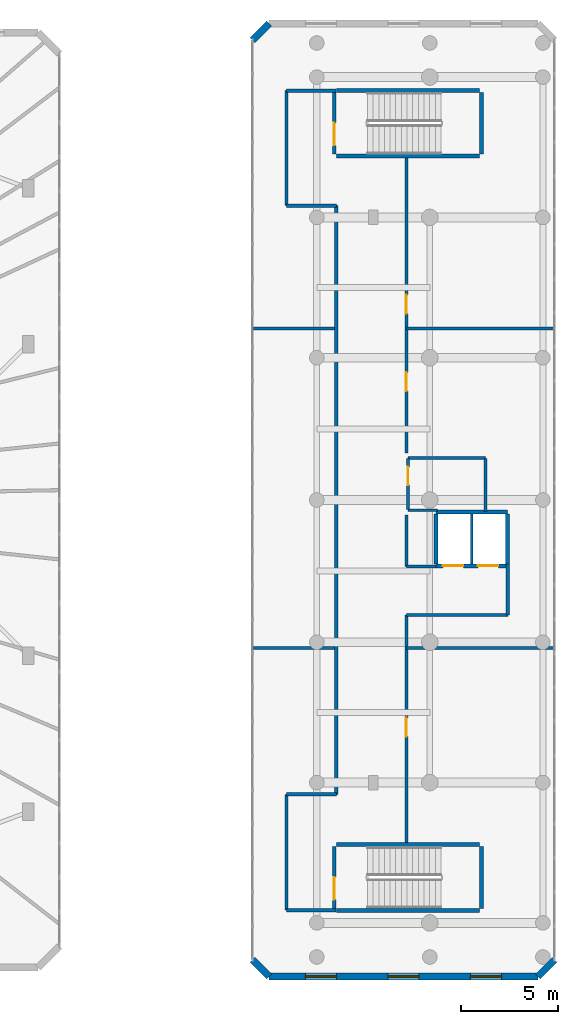
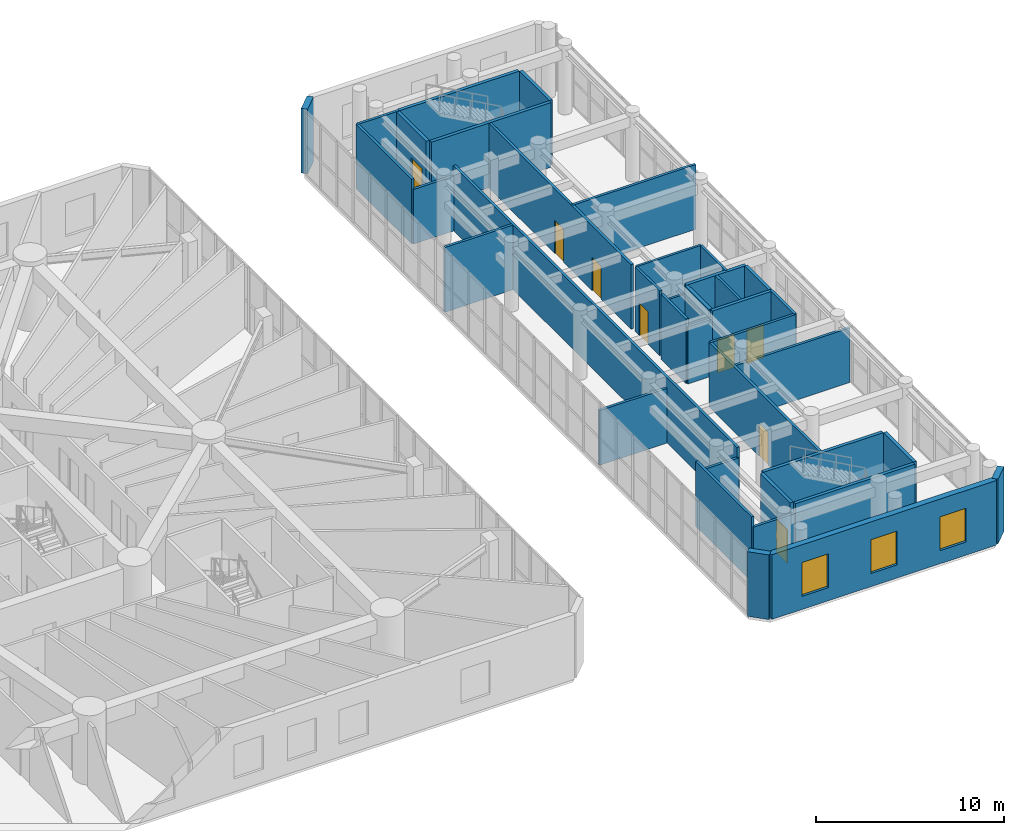
# One storey, part 19 of 26: 38 walls, 8 doors, 3 windows, 11 openings.
"""IFC4 building model written with IfcOpenShell, lengths in metres."""

from ifc_helpers import new_model, si_unit, direction, frame, frame_2d, origin, origin_with_axes, place, context, subcontext, project, spatial, rectangle, extrude, source, transform, mapped, material, layer, layer_set, type_object, element, fill, save


model = new_model("IFC4")

# Units and contexts
model_context = context("Model", 3, precision=1e-05, world=origin(), true_north=direction((0.0, 1.0)))
body_context = subcontext(model_context, "Body", "Model", "MODEL_VIEW")
ifc_project = project(units=[si_unit("LENGTHUNIT", "METRE"), si_unit("AREAUNIT", "SQUARE_METRE"), si_unit("VOLUMEUNIT", "CUBIC_METRE"), si_unit("PLANEANGLEUNIT", "RADIAN"), si_unit("MASSUNIT", "GRAM", prefix="KILO")], contexts=[model_context])

# Site, building, storey
site_placement = place(None, origin())
site = spatial("IfcSite", under=ifc_project, at=site_placement, CompositionType="ELEMENT")
building_placement = place(site_placement, origin())
building = spatial("IfcBuilding", under=site, at=building_placement, Name="Karkom Vertical University and Central Library", CompositionType="ELEMENT")
storey_placement = place(building_placement, frame((0.0, 0.0, 4.5)))
storey = spatial("IfcBuildingStorey", under=building, at=storey_placement, Name="L01", CompositionType="ELEMENT", Elevation=4.5)

# Wall, openings, windows
ifc_material_1 = material(Name="Brick masonry 360mm insulated cavity", Category="masonry")
ifc_layer_1 = layer(ifc_material_1, 0.360107421875)
ifc_layer_set_1 = layer_set([ifc_layer_1], Name="Brick masonry 360mm insulated cavity")
wall_type_1 = type_object("IfcWallType", Name="ENV-WL-BRK-360", PredefinedType="SOLIDWALL", material=ifc_layer_set_1)
wall_1_placement = place(storey_placement, frame((67.14990234375, 2.050048828125, 0.0), z_axis=(0.0, 0.0, 1.0), x_axis=(1.0, 0.0, 0.0)))
wall_1 = element("IfcWall", 1, at=wall_1_placement, inside=storey, type_object=wall_type_1, Name="Level 01 LIB Terracotta Brick Facade Wall 01", PredefinedType="SOLIDWALL", context=body_context, shape_type="SweptSolid", body=[
    extrude(rectangle(XDim=13.800048828125, YDim=0.360107421875, at=frame_2d((6.89990234375, 0.0))), origin(), (0.0, 0.0, 1.0), 4.199951171875),
])
opening_1_placement = place(wall_1_placement, frame((1.86669921875, 0.0, 0.85009765625)))
opening_1 = element("IfcOpeningElement", 2, at=opening_1_placement, cuts=wall_1, Name="Opening WN-02", PredefinedType="OPENING", context=body_context, shape_type="SweptSolid", body=[
    extrude(rectangle(XDim=1.60009765625, YDim=2.199951171875, at=frame_2d((0.800048828125, 1.10009765625))), frame((0.0, 0.18994140625, 0.0), z_axis=(0.0, -1.0, 0.0), x_axis=(1.0, 0.0, 0.0)), (0.0, 0.0, 1.0), 0.380126953125),
])
opening_2_placement = place(wall_1_placement, frame((6.10009765625, 0.0, 0.85009765625)))
opening_2 = element("IfcOpeningElement", 3, at=opening_2_placement, cuts=wall_1, Name="Opening WN-02", PredefinedType="OPENING", context=body_context, shape_type="SweptSolid", body=[
    extrude(rectangle(XDim=1.60009765625, YDim=2.199951171875, at=frame_2d((0.800048828125, 1.10009765625))), frame((0.0, 0.18994140625, 0.0), z_axis=(0.0, -1.0, 0.0), x_axis=(1.0, 0.0, 0.0)), (0.0, 0.0, 1.0), 0.380126953125),
])
opening_3_placement = place(wall_1_placement, frame((10.333251953125, 0.0, 0.85009765625)))
opening_3 = element("IfcOpeningElement", 4, at=opening_3_placement, cuts=wall_1, Name="Opening WN-02", PredefinedType="OPENING", context=body_context, shape_type="SweptSolid", body=[
    extrude(rectangle(XDim=1.60009765625, YDim=2.199951171875, at=frame_2d((0.800048828125, 1.10009765625))), frame((0.0, 0.18994140625, 0.0), z_axis=(0.0, -1.0, 0.0), x_axis=(1.0, 0.0, 0.0)), (0.0, 0.0, 1.0), 0.380126953125),
])
ifc_material_2 = material(Name="Aluminium thermal-break frame with solar-control IGU", Category="aluminium")
window_type = type_object("IfcWindowType", Name="ENV-WIN-WN-02", PartitioningType="SINGLE_PANEL", PredefinedType="WINDOW", material=ifc_material_2)
shared_shape_1 = source(origin_with_axes(), body_context, "Body", "SweptSolid", [
    extrude(rectangle(XDim=1.60009765625, YDim=2.199951171875, at=frame_2d((0.800048828125, 1.10009765625))), frame((0.0, 0.030029296875, 0.0), z_axis=(0.0, -1.0, 0.0), x_axis=(1.0, 0.0, 0.0)), (0.0, 0.0, 1.0), 0.06005859375),
])
window_1_placement = place(opening_1_placement, origin())
window_1 = element("IfcWindow", 5, at=window_1_placement, inside=storey, type_object=window_type, Name="Level 01 LIB Punched Window 01", OverallHeight=2.199951171875, OverallWidth=1.60009765625, PartitioningType="SINGLE_PANEL", PredefinedType="WINDOW", context=body_context, shape_type="MappedRepresentation", body=[
    mapped(shared_shape_1, transform((0.0, 0.0, 0.0), scale=1.0)),
])
fill(opening_1, window_1)
window_2_placement = place(opening_2_placement, origin())
window_2 = element("IfcWindow", 6, at=window_2_placement, inside=storey, type_object=window_type, Name="Level 01 LIB Punched Window 02", OverallHeight=2.199951171875, OverallWidth=1.60009765625, PartitioningType="SINGLE_PANEL", PredefinedType="WINDOW", context=body_context, shape_type="MappedRepresentation", body=[
    mapped(shared_shape_1, transform((0.0, 0.0, 0.0), scale=1.0)),
])
fill(opening_2, window_2)
window_3_placement = place(opening_3_placement, origin())
window_3 = element("IfcWindow", 7, at=window_3_placement, inside=storey, type_object=window_type, Name="Level 01 LIB Punched Window 03", OverallHeight=2.199951171875, OverallWidth=1.60009765625, PartitioningType="SINGLE_PANEL", PredefinedType="WINDOW", context=body_context, shape_type="MappedRepresentation", body=[
    mapped(shared_shape_1, transform((0.0, 0.0, 0.0), scale=1.0)),
])
fill(opening_3, window_3)

# Walls
wall_2_placement = place(storey_placement, frame((80.949951171875, 2.050048828125, 0.0), z_axis=(0.0, 0.0, 1.0), x_axis=(0.707208325923, 0.707005221866, 0.0)))
element("IfcWall", 8, at=wall_2_placement, inside=storey, type_object=wall_type_1, Name="Level 01 LIB Terracotta Brick Facade Wall 02", PredefinedType="SOLIDWALL", context=body_context, shape_type="SweptSolid", body=[
    extrude(rectangle(XDim=1.2021484375, YDim=0.360107421875, at=frame_2d((0.60107421875, 0.0))), origin(), (0.0, 0.0, 1.0), 4.199951171875),
])
for number, where, z_axis, x_axis, name in (
    (9, (67.14990234375, 50.949951171875, 0.0), (0.0, 0.0, 1.0), (-0.707106781187, -0.707106781187, 0.0), "Level 01 LIB Terracotta Brick Facade Wall 06"),
    (10, (66.300048828125, 2.89990234375, 0.0), (0.0, 0.0, 1.0), (0.707106781187, -0.707106781187, 0.0), "Level 01 LIB Terracotta Brick Facade Wall 08"),
):
    element("IfcWall", number, at=place(storey_placement, frame(where, z_axis=z_axis, x_axis=x_axis)), inside=storey, type_object=wall_type_1, Name=name, PredefinedType="SOLIDWALL", context=body_context, shape_type="SweptSolid", body=[
        extrude(rectangle(XDim=1.201904296875, YDim=0.360107421875, at=frame_2d((0.60107421875, 0.0))), origin(), (0.0, 0.0, 1.0), 4.199951171875),
    ])
ifc_material_3 = material(Name="Insulated metal-stud drywall 160mm", Category="gypsum")
ifc_layer_2 = layer(ifc_material_3, 0.159912109375)
ifc_layer_set_2 = layer_set([ifc_layer_2], Name="Insulated metal-stud drywall 160mm")
wall_type_2 = type_object("IfcWallType", Name="INT-WL-COR-160", PredefinedType="PARTITIONING", material=ifc_layer_set_2)
wall_3_placement = place(storey_placement, frame((70.60009765625, 11.39990234375, 0.0), z_axis=(0.0, 0.0, 1.0), x_axis=(0.0, 1.0, 0.0)))
element("IfcWall", 11, at=wall_3_placement, inside=storey, type_object=wall_type_2, Name="Level 01 Interior Partition Wall Level 01-LBCW-CW-001", PredefinedType="PARTITIONING", context=body_context, shape_type="SweptSolid", body=[
    extrude(rectangle(XDim=30.2001953125, YDim=0.159912109375, at=frame_2d((15.10009765625, 0.0))), origin(), (0.0, 0.0, 1.0), 4.199951171875),
])

# Wall, openings, doors
wall_4_placement = place(storey_placement, frame((74.199951171875, 44.0380859375, 0.0), z_axis=(0.0, 0.0, 1.0), x_axis=(0.0, -1.0, 0.0)))
wall_4 = element("IfcWall", 12, at=wall_4_placement, inside=storey, type_object=wall_type_2, Name="Level 01 Interior Partition Wall Level 01-LBCW-CW-005", PredefinedType="PARTITIONING", context=body_context, shape_type="SweptSolid", body=[
    extrude(rectangle(XDim=15.13818359375, YDim=0.159912109375, at=frame_2d((7.569091796875, 0.0))), origin(), (0.0, 0.0, 1.0), 4.199951171875),
])
opening_4_placement = place(wall_4_placement, frame((10.99560546875, 0.0, 0.0)))
opening_4 = element("IfcOpeningElement", 13, at=opening_4_placement, cuts=wall_4, Name="Opening FD-RM2", PredefinedType="OPENING", context=body_context, shape_type="SweptSolid", body=[
    extrude(rectangle(XDim=0.9599609375, YDim=2.14990234375, at=frame_2d((0.47998046875, 1.074951171875))), frame((0.0, 0.08984375, 0.0), z_axis=(0.0, -1.0, 0.0), x_axis=(1.0, 0.0, 0.0)), (0.0, 0.0, 1.0), 0.179931640625),
])
opening_5_placement = place(wall_4_placement, frame((7.010009765625, 0.0, 0.0)))
opening_5 = element("IfcOpeningElement", 14, at=opening_5_placement, cuts=wall_4, Name="Opening FD-RM2", PredefinedType="OPENING", context=body_context, shape_type="SweptSolid", body=[
    extrude(rectangle(XDim=0.9599609375, YDim=2.14990234375, at=frame_2d((0.47998046875, 1.074951171875))), frame((0.0, 0.08984375, 0.0), z_axis=(0.0, -1.0, 0.0), x_axis=(1.0, 0.0, 0.0)), (0.0, 0.0, 1.0), 0.179931640625),
])
ifc_material_4 = material(Name="Fire-rated oak veneer door", Category="wood")
door_type_1 = type_object("IfcDoorType", Name="INT-DR-FRM2", OperationType="NOTDEFINED", PredefinedType="DOOR", material=ifc_material_4)
shared_shape_2 = source(origin_with_axes(), body_context, "Body", "SweptSolid", [
    extrude(rectangle(XDim=0.9599609375, YDim=2.14990234375, at=frame_2d((0.47998046875, 1.074951171875))), frame((0.0, 0.02490234375, 0.0), z_axis=(0.0, -1.0, 0.0), x_axis=(1.0, 0.0, 0.0)), (0.0, 0.0, 1.0), 0.050048828125),
])
door_1_placement = place(opening_4_placement, origin())
door_1 = element("IfcDoor", 15, at=door_1_placement, inside=storey, type_object=door_type_1, Name="Level 01 Room Entry Door 902", OperationType="SINGLE_SWING_LEFT", OverallHeight=2.14990234375, OverallWidth=0.9599609375, PredefinedType="DOOR", context=body_context, shape_type="MappedRepresentation", body=[
    mapped(shared_shape_2, transform((0.0, 0.0, 0.0), scale=1.0)),
])
fill(opening_4, door_1)
door_2_placement = place(opening_5_placement, origin())
door_2 = element("IfcDoor", 16, at=door_2_placement, inside=storey, type_object=door_type_1, Name="Level 01 Room Entry Door 903", OperationType="SINGLE_SWING_RIGHT", OverallHeight=2.14990234375, OverallWidth=0.9599609375, PredefinedType="DOOR", context=body_context, shape_type="MappedRepresentation", body=[
    mapped(shared_shape_2, transform((0.0, 0.0, 0.0), scale=1.0)),
])
fill(opening_5, door_2)

# Wall, opening, door
wall_5_placement = place(storey_placement, frame((74.199951171875, 20.60009765625, 0.0), z_axis=(0.0, 0.0, 1.0), x_axis=(0.0, -1.0, 0.0)))
wall_5 = element("IfcWall", 17, at=wall_5_placement, inside=storey, type_object=wall_type_2, Name="Level 01 Interior Partition Wall Level 01-LBCW-CW-010", PredefinedType="PARTITIONING", context=body_context, shape_type="SweptSolid", body=[
    extrude(rectangle(XDim=11.677978515625, YDim=0.159912109375, at=frame_2d((5.8388671875, 0.0))), origin(), (0.0, 0.0, 1.0), 4.199951171875),
])
opening_6_placement = place(wall_5_placement, frame((5.280029296875, 0.0, 0.0)))
opening_6 = element("IfcOpeningElement", 18, at=opening_6_placement, cuts=wall_5, Name="Opening FD-RM2", PredefinedType="OPENING", context=body_context, shape_type="SweptSolid", body=[
    extrude(rectangle(XDim=0.9599609375, YDim=2.14990234375, at=frame_2d((0.47998046875, 1.074951171875))), frame((0.0, 0.08984375, 0.0), z_axis=(0.0, -1.0, 0.0), x_axis=(1.0, 0.0, 0.0)), (0.0, 0.0, 1.0), 0.179931640625),
])
door_3_placement = place(opening_6_placement, origin())
door_3 = element("IfcDoor", 19, at=door_3_placement, inside=storey, type_object=door_type_1, Name="Level 01 Room Entry Door 901", OperationType="SINGLE_SWING_RIGHT", OverallHeight=2.14990234375, OverallWidth=0.9599609375, PredefinedType="DOOR", context=body_context, shape_type="MappedRepresentation", body=[
    mapped(shared_shape_2, transform((0.0, 0.0, 0.0), scale=1.0)),
])
fill(opening_6, door_3)

# Walls
wall_6_placement = place(storey_placement, frame((74.199951171875, 18.89990234375, 0.0), z_axis=(0.0, 0.0, 1.0), x_axis=(1.0, 0.0, 0.0)))
element("IfcWall", 20, at=wall_6_placement, inside=storey, type_object=wall_type_2, Name="Level 01 Interior Partition Wall Level 01-LW-DIV1E", PredefinedType="PARTITIONING", context=body_context, shape_type="SweptSolid", body=[
    extrude(rectangle(XDim=7.545166015625, YDim=0.159912109375, at=frame_2d((3.7724609375, 0.0))), origin(), (0.0, 0.0, 1.0), 3.550048828125),
])
wall_7_placement = place(storey_placement, frame((74.199951171875, 35.300048828125, 0.0), z_axis=(0.0, 0.0, 1.0), x_axis=(1.0, 0.0, 0.0)))
element("IfcWall", 21, at=wall_7_placement, inside=storey, type_object=wall_type_2, Name="Level 01 Interior Partition Wall Level 01-LW-DIV2E", PredefinedType="PARTITIONING", context=body_context, shape_type="SweptSolid", body=[
    extrude(rectangle(XDim=7.545166015625, YDim=0.159912109375, at=frame_2d((3.7724609375, 0.0))), origin(), (0.0, 0.0, 1.0), 4.199951171875),
])
wall_8_placement = place(storey_placement, frame((68.050048828125, 5.449951171875, 0.0), z_axis=(0.0, 0.0, 1.0), x_axis=(0.0, 1.0, 0.0)))
element("IfcWall", 22, at=wall_8_placement, inside=storey, type_object=wall_type_2, Name="Level 01 Interior Partition Wall Level 01-LBCW-CW-012", PredefinedType="PARTITIONING", context=body_context, shape_type="SweptSolid", body=[
    extrude(rectangle(XDim=5.949951171875, YDim=0.159912109375, at=frame_2d((2.97509765625, 0.0))), origin(), (0.0, 0.0, 1.0), 4.199951171875),
])
wall_9_placement = place(storey_placement, frame((68.050048828125, 41.60009765625, 0.0), z_axis=(0.0, 0.0, 1.0), x_axis=(0.0, 1.0, 0.0)))
element("IfcWall", 23, at=wall_9_placement, inside=storey, type_object=wall_type_2, Name="Level 01 Interior Partition Wall Level 01-LBCW-CW-003", PredefinedType="PARTITIONING", context=body_context, shape_type="SweptSolid", body=[
    extrude(rectangle(XDim=5.89990234375, YDim=0.159912109375, at=frame_2d((2.949951171875, 0.0))), origin(), (0.0, 0.0, 1.0), 4.199951171875),
])
wall_10_placement = place(storey_placement, frame((79.39990234375, 20.60009765625, 0.0), z_axis=(0.0, 0.0, 1.0), x_axis=(-1.0, 0.0, 0.0)))
element("IfcWall", 24, at=wall_10_placement, inside=storey, type_object=wall_type_2, Name="Level 01 Interior Partition Wall Level 01-LBCW-CW-009", PredefinedType="PARTITIONING", context=body_context, shape_type="SweptSolid", body=[
    extrude(rectangle(XDim=5.199951171875, YDim=0.159912109375, at=frame_2d((2.60009765625, 0.0))), origin(), (0.0, 0.0, 1.0), 4.199951171875),
])
wall_11_placement = place(storey_placement, frame((66.35498046875, 18.89990234375, 0.0), z_axis=(0.0, 0.0, 1.0), x_axis=(1.0, 0.0, 0.0)))
element("IfcWall", 25, at=wall_11_placement, inside=storey, type_object=wall_type_2, Name="Level 01 Interior Partition Wall Level 01-LW-DIV1", PredefinedType="PARTITIONING", context=body_context, shape_type="SweptSolid", body=[
    extrude(rectangle(XDim=4.160400390625, YDim=0.159912109375, at=frame_2d((2.080078125, 0.0))), origin(), (0.0, 0.0, 1.0), 3.550048828125),
])
wall_12_placement = place(storey_placement, frame((66.35498046875, 35.300048828125, 0.0), z_axis=(0.0, 0.0, 1.0), x_axis=(1.0, 0.0, 0.0)))
element("IfcWall", 26, at=wall_12_placement, inside=storey, type_object=wall_type_2, Name="Level 01 Interior Partition Wall Level 01-LW-DIV2", PredefinedType="PARTITIONING", context=body_context, shape_type="SweptSolid", body=[
    extrude(rectangle(XDim=4.160400390625, YDim=0.159912109375, at=frame_2d((2.080078125, 0.0))), origin(), (0.0, 0.0, 1.0), 4.199951171875),
])
wall_13_placement = place(storey_placement, frame((74.199951171875, 25.739990234375, 0.0), z_axis=(0.0, 0.0, 1.0), x_axis=(0.0, -1.0, 0.0)))
element("IfcWall", 27, at=wall_13_placement, inside=storey, type_object=wall_type_2, Name="Level 01 Interior Partition Wall Level 01-LBCW-CW-006", PredefinedType="PARTITIONING", context=body_context, shape_type="SweptSolid", body=[
    extrude(rectangle(XDim=2.659912109375, YDim=0.159912109375, at=frame_2d((1.330078125, 0.0))), origin(), (0.0, 0.0, 1.0), 4.199951171875),
])
for number, where, z_axis, x_axis, name in (
    (28, (70.60009765625, 41.60009765625, 0.0), (0.0, 0.0, 1.0), (-1.0, 0.0, 0.0), "Level 01 Interior Partition Wall Level 01-LBCW-CW-002"),
    (29, (68.050048828125, 11.39990234375, 0.0), (0.0, 0.0, 1.0), (1.0, 0.0, 0.0), "Level 01 Interior Partition Wall Level 01-LBCW-CW-013"),
):
    element("IfcWall", number, at=place(storey_placement, frame(where, z_axis=z_axis, x_axis=x_axis)), inside=storey, type_object=wall_type_2, Name=name, PredefinedType="PARTITIONING", context=body_context, shape_type="SweptSolid", body=[
        extrude(rectangle(XDim=2.550048828125, YDim=0.159912109375, at=frame_2d((1.27490234375, 0.0))), origin(), (0.0, 0.0, 1.0), 3.550048828125),
    ])
wall_14_placement = place(storey_placement, frame((79.39990234375, 23.215087890625, 0.0), z_axis=(0.0, 0.0, 1.0), x_axis=(0.0, -1.0, 0.0)))
element("IfcWall", 30, at=wall_14_placement, inside=storey, type_object=wall_type_2, Name="Level 01 Interior Partition Wall Level 01-LBCW-CW-008", PredefinedType="PARTITIONING", context=body_context, shape_type="SweptSolid", body=[
    extrude(rectangle(XDim=2.614990234375, YDim=0.159912109375, at=frame_2d((1.3076171875, 0.0))), origin(), (0.0, 0.0, 1.0), 4.199951171875),
])
wall_15_placement = place(storey_placement, frame((68.050048828125, 47.5, 0.0), z_axis=(0.0, 0.0, 1.0), x_axis=(1.0, 0.0, 0.0)))
element("IfcWall", 31, at=wall_15_placement, inside=storey, type_object=wall_type_2, Name="Level 01 Interior Partition Wall Level 01-LBCW-CW-004", PredefinedType="PARTITIONING", context=body_context, shape_type="SweptSolid", body=[
    extrude(rectangle(XDim=2.544921875, YDim=0.159912109375, at=frame_2d((1.2724609375, 0.0))), origin(), (0.0, 0.0, 1.0), 4.199951171875),
])
wall_16_placement = place(storey_placement, frame((70.594970703125, 5.449951171875, 0.0), z_axis=(0.0, 0.0, 1.0), x_axis=(-1.0, 0.0, 0.0)))
element("IfcWall", 32, at=wall_16_placement, inside=storey, type_object=wall_type_2, Name="Level 01 Interior Partition Wall Level 01-LBCW-CW-011", PredefinedType="PARTITIONING", context=body_context, shape_type="SweptSolid", body=[
    extrude(rectangle(XDim=2.544921875, YDim=0.159912109375, at=frame_2d((1.2724609375, 0.0))), origin(), (0.0, 0.0, 1.0), 3.550048828125),
])
wall_17_placement = place(storey_placement, frame((74.199951171875, 23.080078125, 0.0), z_axis=(0.0, 0.0, 1.0), x_axis=(1.0, 0.0, 0.0)))
element("IfcWall", 33, at=wall_17_placement, inside=storey, type_object=wall_type_2, Name="Level 01 Interior Partition Wall Level 01-LBCW-CW-007", PredefinedType="PARTITIONING", context=body_context, shape_type="SweptSolid", body=[
    extrude(rectangle(XDim=1.51513671875, YDim=0.159912109375, at=frame_2d((0.757568359375, 0.0))), origin(), (0.0, 0.0, 1.0), 3.699951171875),
])
ifc_material_5 = material(Name="Metal-stud gypsum partition 140mm", Category="gypsum")
ifc_layer_3 = layer(ifc_material_5, 0.139892578125)
ifc_layer_set_3 = layer_set([ifc_layer_3], Name="Metal-stud gypsum partition 140mm")
wall_type_3 = type_object("IfcWallType", Name="INT-WL-SUB-140", PredefinedType="PARTITIONING", material=ifc_layer_set_3)
wall_18_placement = place(storey_placement, frame((74.280029296875, 28.659912109375, 0.0), z_axis=(0.0, 0.0, 1.0), x_axis=(1.0, 0.0, 0.0)))
element("IfcWall", 34, at=wall_18_placement, inside=storey, type_object=wall_type_3, Name="Level 01 Interior Partition Wall Level 01-LW-AWC-N", PredefinedType="PARTITIONING", context=body_context, shape_type="SweptSolid", body=[
    extrude(rectangle(XDim=3.97998046875, YDim=0.139892578125, at=frame_2d((1.989990234375, 0.0))), origin(), (0.0, 0.0, 1.0), 4.199951171875),
])
wall_19_placement = place(storey_placement, frame((78.260009765625, 25.919921875, 0.0), z_axis=(0.0, 0.0, 1.0), x_axis=(0.0, 1.0, 0.0)))
element("IfcWall", 35, at=wall_19_placement, inside=storey, type_object=wall_type_3, Name="Level 01 Interior Partition Wall Level 01-LW-AWC-E", PredefinedType="PARTITIONING", context=body_context, shape_type="SweptSolid", body=[
    extrude(rectangle(XDim=2.7001953125, YDim=0.139892578125, at=frame_2d((1.35009765625, 0.0))), origin(), (0.0, 0.0, 1.0), 4.199951171875),
])

# Wall, opening, door
wall_20_placement = place(storey_placement, frame((74.280029296875, 26.02001953125, 0.0), z_axis=(0.0, 0.0, 1.0), x_axis=(0.0, 1.0, 0.0)))
wall_20 = element("IfcWall", 36, at=wall_20_placement, inside=storey, type_object=wall_type_3, Name="Level 01 Interior Partition Wall Level 01-LW-AWC-W", PredefinedType="PARTITIONING", context=body_context, shape_type="SweptSolid", body=[
    extrude(rectangle(XDim=2.60009765625, YDim=0.139892578125, at=frame_2d((1.300048828125, 0.0))), origin(), (0.0, 0.0, 1.0), 4.199951171875),
])
opening_7_placement = place(wall_20_placement, frame((1.239990234375, 0.0, 0.0)))
opening_7 = element("IfcOpeningElement", 37, at=opening_7_placement, cuts=wall_20, Name="Opening D-WC1", PredefinedType="OPENING", context=body_context, shape_type="SweptSolid", body=[
    extrude(rectangle(XDim=0.93994140625, YDim=2.10009765625, at=frame_2d((0.469970703125, 1.050048828125))), frame((0.0, 0.080078125, 0.0), z_axis=(0.0, -1.0, 0.0), x_axis=(1.0, 0.0, 0.0)), (0.0, 0.0, 1.0), 0.159912109375),
])
ifc_material_6 = material(Name="Fire-rated laminate moisture-resistant door", Category="wood")
door_type_2 = type_object("IfcDoorType", Name="INT-DR-WC1", OperationType="NOTDEFINED", PredefinedType="DOOR", material=ifc_material_6)
shared_shape_3 = source(origin_with_axes(), body_context, "Body", "SweptSolid", [
    extrude(rectangle(XDim=0.93994140625, YDim=2.10009765625, at=frame_2d((0.469970703125, 1.050048828125))), frame((0.0, 0.02490234375, 0.0), z_axis=(0.0, -1.0, 0.0), x_axis=(1.0, 0.0, 0.0)), (0.0, 0.0, 1.0), 0.050048828125),
])
door_4_placement = place(opening_7_placement, origin())
door_4 = element("IfcDoor", 38, at=door_4_placement, inside=storey, type_object=door_type_2, Name="Level 01 Library Accessible WC Door", OperationType="SINGLE_SWING_LEFT", OverallHeight=2.10009765625, OverallWidth=0.93994140625, PredefinedType="DOOR", context=body_context, shape_type="MappedRepresentation", body=[
    mapped(shared_shape_3, transform((0.0, 0.0, 0.0), scale=1.0)),
])
fill(opening_7, door_4)

# Walls
wall_21_placement = place(storey_placement, frame((74.280029296875, 25.97998046875, 0.0), z_axis=(0.0, 0.0, 1.0), x_axis=(1.0, 0.0, 0.0)))
element("IfcWall", 39, at=wall_21_placement, inside=storey, type_object=wall_type_3, Name="Level 01 Interior Partition Wall Level 01-LW-AWC-S", PredefinedType="PARTITIONING", context=body_context, shape_type="SweptSolid", body=[
    extrude(rectangle(XDim=1.52001953125, YDim=0.139892578125, at=frame_2d((0.760009765625, 0.0))), origin(), (0.0, 0.0, 1.0), 3.550048828125),
])
ifc_layer_4 = layer(ifc_material_5, 0.139892578125)
ifc_layer_set_4 = layer_set([ifc_layer_4], Name="Metal-stud gypsum partition 140mm")
wall_type_4 = type_object("IfcWallType", Name="INT-WL-SUB-140H", PredefinedType="PARTITIONING", material=ifc_layer_set_4)
wall_22_placement = place(storey_placement, frame((77.550048828125, 23.219970703125, 0.0), z_axis=(0.0, 0.0, 1.0), x_axis=(0.0, 1.0, 0.0)))
element("IfcWall", 40, at=wall_22_placement, inside=storey, type_object=wall_type_4, Name="Level 01 Interior Partition Wall Level 01-W-LL-M", PredefinedType="PARTITIONING", context=body_context, shape_type="SweptSolid", body=[
    extrude(rectangle(XDim=2.56005859375, YDim=0.139892578125, at=frame_2d((1.280029296875, 0.0))), origin(), (0.0, 0.0, 1.0), 4.199951171875),
])
ifc_material_7 = material(Name="Concrete C45/55", Category="concrete")
ifc_layer_5 = layer(ifc_material_7, 0.199951171875)
ifc_layer_set_5 = layer_set([ifc_layer_5], Name="Concrete C45/55")
wall_type_5 = type_object("IfcWallType", Name="STR-WL-ST-200", PredefinedType="SHEAR", material=ifc_layer_set_5)
for number, where, z_axis, x_axis, name in (
    (41, (70.60009765625, 5.445068359375, 0.0), (0.0, 0.0, 1.0), (1.0, 0.0, 0.0), "Level 01 Core Shaft Wall Level 01-W-LST1-S"),
    (42, (70.60009765625, 8.81494140625, 0.0), (0.0, 0.0, 1.0), (1.0, 0.0, 0.0), "Level 01 Core Shaft Wall Level 01-W-LST1-N"),
    (43, (70.60009765625, 44.14501953125, 0.0), (0.0, 0.0, 1.0), (1.0, 0.0, 0.0), "Level 01 Core Shaft Wall Level 01-W-LST2-S"),
    (44, (70.60009765625, 47.514892578125, 0.0), (0.0, 0.0, 1.0), (1.0, 0.0, 0.0), "Level 01 Core Shaft Wall Level 01-W-LST2-N"),
):
    element("IfcWall", number, at=place(storey_placement, frame(where, z_axis=z_axis, x_axis=x_axis)), inside=storey, type_object=wall_type_5, Name=name, PredefinedType="SHEAR", context=body_context, shape_type="SweptSolid", body=[
        extrude(rectangle(XDim=7.349853515625, YDim=0.199951171875, at=frame_2d((3.6748046875, 0.0))), origin(), (0.0, 0.0, 1.0), 4.199951171875),
    ])

# Wall, openings, doors
wall_23_placement = place(storey_placement, frame((75.719970703125, 23.1201171875, 0.0), z_axis=(0.0, 0.0, 1.0), x_axis=(1.0, 0.0, 0.0)))
wall_23 = element("IfcWall", 45, at=wall_23_placement, inside=storey, type_object=wall_type_5, Name="Level 01 Core Shaft Wall Level 01-W-LL-S", PredefinedType="SHEAR", context=body_context, shape_type="SweptSolid", body=[
    extrude(rectangle(XDim=3.659912109375, YDim=0.199951171875, at=frame_2d((1.830078125, 0.0))), origin(), (0.0, 0.0, 1.0), 4.199951171875),
])
opening_8_placement = place(wall_23_placement, frame((0.35009765625, 0.0, 0.0)))
opening_8 = element("IfcOpeningElement", 46, at=opening_8_placement, cuts=wall_23, Name="Opening LD-LIB", PredefinedType="OPENING", context=body_context, shape_type="SweptSolid", body=[
    extrude(rectangle(XDim=1.050048828125, YDim=2.14990234375, at=frame_2d((0.52490234375, 1.074951171875))), frame((0.0, 0.10986328125, 0.0), z_axis=(0.0, -1.0, 0.0), x_axis=(1.0, 0.0, 0.0)), (0.0, 0.0, 1.0), 0.219970703125),
])
opening_9_placement = place(wall_23_placement, frame((2.14990234375, 0.0, 0.0)))
opening_9 = element("IfcOpeningElement", 47, at=opening_9_placement, cuts=wall_23, Name="Opening LD-LIB", PredefinedType="OPENING", context=body_context, shape_type="SweptSolid", body=[
    extrude(rectangle(XDim=1.050048828125, YDim=2.14990234375, at=frame_2d((0.52490234375, 1.074951171875))), frame((0.0, 0.10986328125, 0.0), z_axis=(0.0, -1.0, 0.0), x_axis=(1.0, 0.0, 0.0)), (0.0, 0.0, 1.0), 0.219970703125),
])
ifc_material_8 = material(Name="Bronze-anodised lift landing door", Category="metal")
door_type_3 = type_object("IfcDoorType", Name="INT-DR-LD-LIB", OperationType="SLIDING_TO_LEFT", PredefinedType="DOOR", material=ifc_material_8)
shared_shape_4 = source(origin_with_axes(), body_context, "Body", "SweptSolid", [
    extrude(rectangle(XDim=1.050048828125, YDim=2.14990234375, at=frame_2d((0.52490234375, 1.074951171875))), frame((0.0, 0.02490234375, 0.0), z_axis=(0.0, -1.0, 0.0), x_axis=(1.0, 0.0, 0.0)), (0.0, 0.0, 1.0), 0.050048828125),
])
door_5_placement = place(opening_8_placement, origin())
door_5 = element("IfcDoor", 48, at=door_5_placement, inside=storey, type_object=door_type_3, Name="Level 01 Library Lift LIB-L1 Landing Door", OperationType="SLIDING_TO_LEFT", OverallHeight=2.14990234375, OverallWidth=1.050048828125, PredefinedType="DOOR", context=body_context, shape_type="MappedRepresentation", body=[
    mapped(shared_shape_4, transform((0.0, 0.0, 0.0), scale=1.0)),
])
fill(opening_8, door_5)
door_6_placement = place(opening_9_placement, origin())
door_6 = element("IfcDoor", 49, at=door_6_placement, inside=storey, type_object=door_type_3, Name="Level 01 Library Lift LIB-L2 Landing Door", OperationType="SLIDING_TO_RIGHT", OverallHeight=2.14990234375, OverallWidth=1.050048828125, PredefinedType="DOOR", context=body_context, shape_type="MappedRepresentation", body=[
    mapped(shared_shape_4, transform((0.0, 0.0, 0.0), scale=1.0)),
])
fill(opening_9, door_6)

# Wall
wall_24_placement = place(storey_placement, frame((75.719970703125, 25.8798828125, 0.0), z_axis=(0.0, 0.0, 1.0), x_axis=(1.0, 0.0, 0.0)))
element("IfcWall", 50, at=wall_24_placement, inside=storey, type_object=wall_type_5, Name="Level 01 Core Shaft Wall Level 01-W-LL-N", PredefinedType="SHEAR", context=body_context, shape_type="SweptSolid", body=[
    extrude(rectangle(XDim=3.659912109375, YDim=0.199951171875, at=frame_2d((1.830078125, 0.0))), origin(), (0.0, 0.0, 1.0), 4.199951171875),
])

# Wall, opening, door
wall_25_placement = place(storey_placement, frame((70.4951171875, 5.550048828125, 0.0), z_axis=(0.0, 0.0, 1.0), x_axis=(0.0, 1.0, 0.0)))
wall_25 = element("IfcWall", 51, at=wall_25_placement, inside=storey, type_object=wall_type_5, Name="Level 01 Core Shaft Wall Level 01-W-LST1-W", PredefinedType="SHEAR", context=body_context, shape_type="SweptSolid", body=[
    extrude(rectangle(XDim=3.159912109375, YDim=0.199951171875, at=frame_2d((1.580078125, 0.0))), origin(), (0.0, 0.0, 1.0), 4.199951171875),
])
opening_10_placement = place(wall_25_placement, frame((0.449951171875, 0.0, 0.0)))
opening_10 = element("IfcOpeningElement", 52, at=opening_10_placement, cuts=wall_25, Name="Opening FD-ST1", PredefinedType="OPENING", context=body_context, shape_type="SweptSolid", body=[
    extrude(rectangle(XDim=1.14990234375, YDim=2.14990234375, at=frame_2d((0.574951171875, 1.074951171875))), frame((0.0, 0.10986328125, 0.0), z_axis=(0.0, -1.0, 0.0), x_axis=(1.0, 0.0, 0.0)), (0.0, 0.0, 1.0), 0.219970703125),
])
ifc_material_9 = material(Name="Painted steel acoustic fire door", Category="steel")
door_type_4 = type_object("IfcDoorType", Name="INT-DR-ST1", OperationType="NOTDEFINED", PredefinedType="DOOR", material=ifc_material_9)
shared_shape_5 = source(origin_with_axes(), body_context, "Body", "SweptSolid", [
    extrude(rectangle(XDim=1.14990234375, YDim=2.14990234375, at=frame_2d((0.574951171875, 1.074951171875))), frame((0.0, 0.02490234375, 0.0), z_axis=(0.0, -1.0, 0.0), x_axis=(1.0, 0.0, 0.0)), (0.0, 0.0, 1.0), 0.050048828125),
])
door_7_placement = place(opening_10_placement, origin())
door_7 = element("IfcDoor", 53, at=door_7_placement, inside=storey, type_object=door_type_4, Name="Level 01 Library Stair LST1 Door", OperationType="SINGLE_SWING_LEFT", OverallHeight=2.14990234375, OverallWidth=1.14990234375, PredefinedType="DOOR", context=body_context, shape_type="MappedRepresentation", body=[
    mapped(shared_shape_5, transform((0.0, 0.0, 0.0), scale=1.0)),
])
fill(opening_10, door_7)

# Wall
wall_26_placement = place(storey_placement, frame((78.054931640625, 5.550048828125, 0.0), z_axis=(0.0, 0.0, 1.0), x_axis=(0.0, 1.0, 0.0)))
element("IfcWall", 54, at=wall_26_placement, inside=storey, type_object=wall_type_5, Name="Level 01 Core Shaft Wall Level 01-W-LST1-E", PredefinedType="SHEAR", context=body_context, shape_type="SweptSolid", body=[
    extrude(rectangle(XDim=3.159912109375, YDim=0.199951171875, at=frame_2d((1.580078125, 0.0))), origin(), (0.0, 0.0, 1.0), 4.199951171875),
])

# Wall, opening, door
wall_27_placement = place(storey_placement, frame((70.4951171875, 44.25, 0.0), z_axis=(0.0, 0.0, 1.0), x_axis=(0.0, 1.0, 0.0)))
wall_27 = element("IfcWall", 55, at=wall_27_placement, inside=storey, type_object=wall_type_5, Name="Level 01 Core Shaft Wall Level 01-W-LST2-W", PredefinedType="SHEAR", context=body_context, shape_type="SweptSolid", body=[
    extrude(rectangle(XDim=3.159912109375, YDim=0.199951171875, at=frame_2d((1.580078125, 0.0))), origin(), (0.0, 0.0, 1.0), 4.199951171875),
])
opening_11_placement = place(wall_27_placement, frame((0.449951171875, 0.0, 0.0)))
opening_11 = element("IfcOpeningElement", 56, at=opening_11_placement, cuts=wall_27, Name="Opening FD-ST1", PredefinedType="OPENING", context=body_context, shape_type="SweptSolid", body=[
    extrude(rectangle(XDim=1.14990234375, YDim=2.14990234375, at=frame_2d((0.574951171875, 1.074951171875))), frame((0.0, 0.10986328125, 0.0), z_axis=(0.0, -1.0, 0.0), x_axis=(1.0, 0.0, 0.0)), (0.0, 0.0, 1.0), 0.219970703125),
])
door_8_placement = place(opening_11_placement, origin())
door_8 = element("IfcDoor", 57, at=door_8_placement, inside=storey, type_object=door_type_4, Name="Level 01 Library Stair LST2 Door", OperationType="SINGLE_SWING_RIGHT", OverallHeight=2.14990234375, OverallWidth=1.14990234375, PredefinedType="DOOR", context=body_context, shape_type="MappedRepresentation", body=[
    mapped(shared_shape_5, transform((0.0, 0.0, 0.0), scale=1.0)),
])
fill(opening_11, door_8)

# Walls
wall_28_placement = place(storey_placement, frame((78.054931640625, 44.25, 0.0), z_axis=(0.0, 0.0, 1.0), x_axis=(0.0, 1.0, 0.0)))
element("IfcWall", 58, at=wall_28_placement, inside=storey, type_object=wall_type_5, Name="Level 01 Core Shaft Wall Level 01-W-LST2-E", PredefinedType="SHEAR", context=body_context, shape_type="SweptSolid", body=[
    extrude(rectangle(XDim=3.159912109375, YDim=0.199951171875, at=frame_2d((1.580078125, 0.0))), origin(), (0.0, 0.0, 1.0), 4.199951171875),
])
for number, where, z_axis, x_axis, name in (
    (59, (75.719970703125, 23.219970703125, 0.0), (0.0, 0.0, 1.0), (0.0, 1.0, 0.0), "Level 01 Core Shaft Wall Level 01-W-LL-W"),
    (60, (79.3798828125, 23.219970703125, 0.0), (0.0, 0.0, 1.0), (0.0, 1.0, 0.0), "Level 01 Core Shaft Wall Level 01-W-LL-E"),
):
    element("IfcWall", number, at=place(storey_placement, frame(where, z_axis=z_axis, x_axis=x_axis)), inside=storey, type_object=wall_type_5, Name=name, PredefinedType="SHEAR", context=body_context, shape_type="SweptSolid", body=[
        extrude(rectangle(XDim=2.56005859375, YDim=0.199951171875, at=frame_2d((1.280029296875, 0.0))), origin(), (0.0, 0.0, 1.0), 4.199951171875),
    ])

save(model, "model.ifc")
